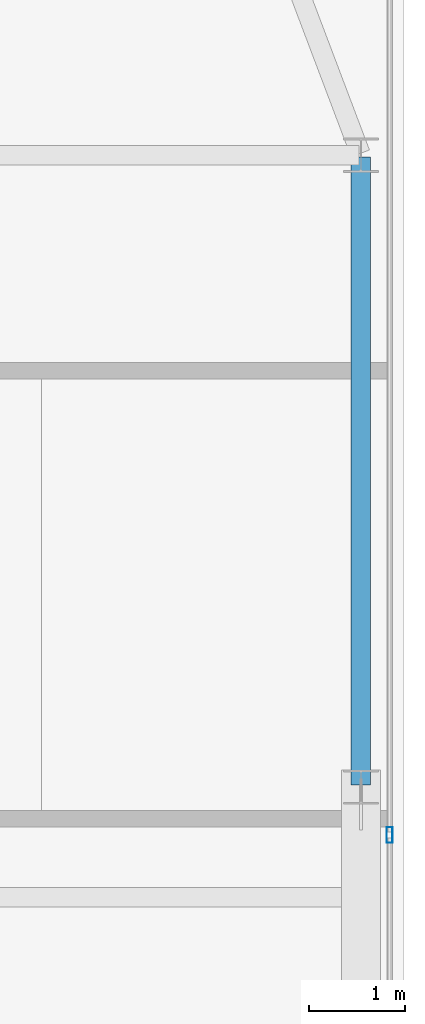
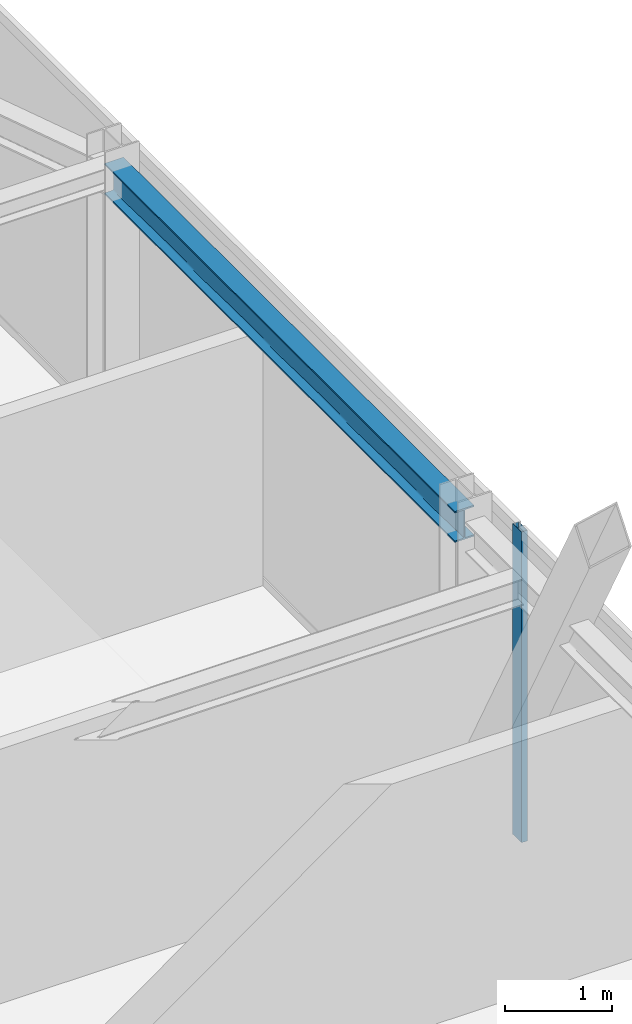
# One storey, part 19 of 31: 1 beam, 1 member, 1 element without a shape of its own.
"""IFC4 building model written with IfcOpenShell, lengths in metres."""

from ifc_helpers import new_model, si_unit, direction, frame, origin, origin_2d, place, context, subcontext, project, spatial, hollow_rectangle, i_section, extrude, source, transform, mapped, material, layer, layer_set, material_profile, profile_set, type_object, type_shapes, element, aggregate, save


model = new_model("IFC4")

# Units and contexts
model_context = context("Model", 3, precision=1e-05, world=origin(), true_north=direction((0.0, 1.0)))
body_context = subcontext(model_context, "Body", "Model", "MODEL_VIEW")
ifc_project = project(units=[si_unit("LENGTHUNIT", "METRE"), si_unit("AREAUNIT", "SQUARE_METRE"), si_unit("VOLUMEUNIT", "CUBIC_METRE"), si_unit("PLANEANGLEUNIT", "RADIAN"), si_unit("MASSUNIT", "GRAM", prefix="KILO")], contexts=[model_context])

# Site, building, storey
site_placement = place(None, origin())
site = spatial("IfcSite", under=ifc_project, at=site_placement, CompositionType="ELEMENT")
building_placement = place(site_placement, origin())
building = spatial("IfcBuilding", under=site, at=building_placement, Name="Varnel Quay Broadcast Tower", CompositionType="ELEMENT")
storey_placement = place(building_placement, frame((0.0, 0.0, 239.39990234375)))
storey = spatial("IfcBuildingStorey", under=building, at=storey_placement, Name="L59", CompositionType="ELEMENT", Elevation=239.39990234375)

# Beam
ifc_material_1 = material(Name="Structural Steel CSA G40.21 350W", Category="steel")
ifc_material_profile_1 = material_profile(ifc_material_1, i_section(OverallWidth=0.205078125, OverallDepth=0.35400390625, WebThickness=0.009521484375, FlangeThickness=0.016845703125, FilletRadius=0.012939453125, at=origin_2d()), Name="W360X79")
ifc_profile_set_1 = profile_set([ifc_material_profile_1], Name="Structural Steel CSA G40.21 350W")
beam_type = type_object("IfcBeamType", Name="Beam_W360X79", PredefinedType="SPANDREL", material=ifc_profile_set_1)
shared_shape_1 = source(origin(), body_context, "Body", "SweptSolid", [
    extrude(i_section(OverallWidth=0.205078125, OverallDepth=0.35400390625, WebThickness=0.009521484375, FlangeThickness=0.016845703125, FilletRadius=0.012939453125, at=origin_2d()), origin(), (0.0, 0.0, 1.0), 6.56005859375),
])
type_shapes(beam_type, [shared_shape_1])
beam_placement = place(storey_placement, frame((58.050048828125, 29.02001953125, 3.373046875), z_axis=(0.0, 1.0, 0.0), x_axis=(-1.0, 0.0, 0.0)))
element("IfcBeam", 1, at=beam_placement, inside=storey, type_object=beam_type, Name="L59 East Spandrel TC-E2-TC-E3", PredefinedType="SPANDREL", context=body_context, shape_type="MappedRepresentation", body=[
    mapped(shared_shape_1, transform((0.0, 0.0, 0.0), x_axis=(1.0, 0.0, 0.0), y_axis=(0.0, 1.0, 0.0), z_axis=(0.0, 0.0, 1.0), scale=1.0)),
])

# Curtain wall, member
ifc_material_2 = material(Name="Anodised Bronze Aluminium 6063-T6", Category="aluminium")
ifc_layer = layer(ifc_material_2, 0.18994140625, Name="Anodised Bronze Aluminium 6063-T6")
ifc_layer_set = layer_set([ifc_layer], Name="Anodised Bronze Aluminium 6063-T6")
curtain_wall_type = type_object("IfcCurtainWallType", Name="CW_UpperTower", PredefinedType="NOTDEFINED", material=ifc_layer_set)
curtain_wall_placement = place(storey_placement, origin())
curtain_wall = element("IfcCurtainWall", 2, at=curtain_wall_placement, inside=storey, type_object=curtain_wall_type, Name="L59 East Unitised Curtain Wall", PredefinedType="NOTDEFINED")
ifc_material_profile_2 = material_profile(ifc_material_2, hollow_rectangle(XDim=0.06494140625, YDim=0.1650390625, WallThickness=0.00341796875, at=origin_2d()), Name="ALU65X165X3.5")
ifc_profile_set_2 = profile_set([ifc_material_profile_2], Name="Anodised Bronze Aluminium 6063-T6")
member_type = type_object("IfcMemberType", Name="Mull_CWS-03", PredefinedType="MULLION", material=ifc_profile_set_2)
shared_shape_2 = source(origin(), body_context, "Body", "SweptSolid", [
    extrude(hollow_rectangle(XDim=0.06494140625, YDim=0.1650390625, WallThickness=0.00341796875, at=origin_2d()), origin(), (0.0, 0.0, 1.0), 3.550048828125),
])
type_shapes(member_type, [shared_shape_2])
member_placement = place(storey_placement, frame((58.35009765625, 28.5, 0.0), z_axis=(0.0, 0.0, 1.0), x_axis=(-1.0, 0.0, 0.0)))
member = element("IfcMember", 3, at=member_placement, type_object=member_type, Name="CWS-03 mullion 2", PredefinedType="MULLION", context=body_context, shape_type="MappedRepresentation", body=[
    mapped(shared_shape_2, transform((0.0, 0.0, 0.0), x_axis=(1.0, 0.0, 0.0), y_axis=(0.0, 1.0, 0.0), z_axis=(0.0, 0.0, 1.0), scale=1.0)),
])
aggregate(curtain_wall, [member])

save(model, "model.ifc")
